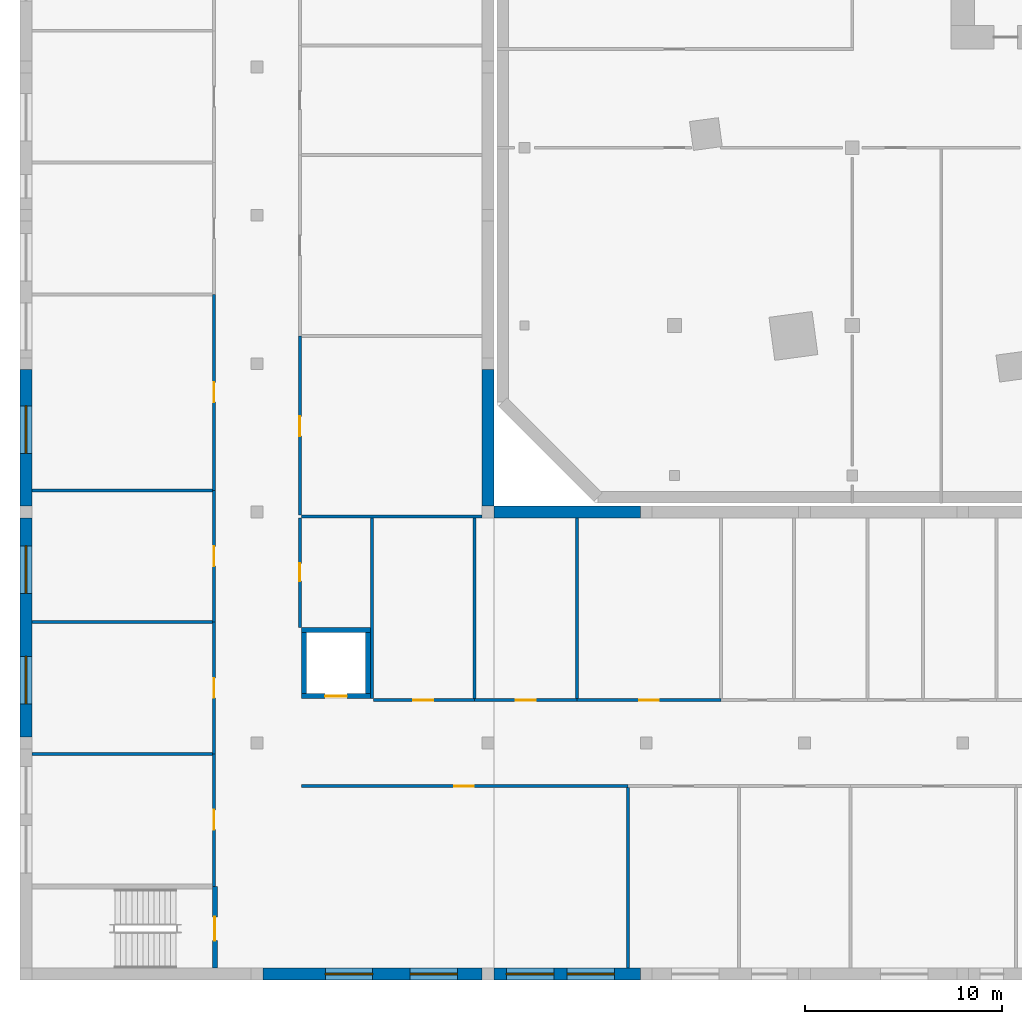
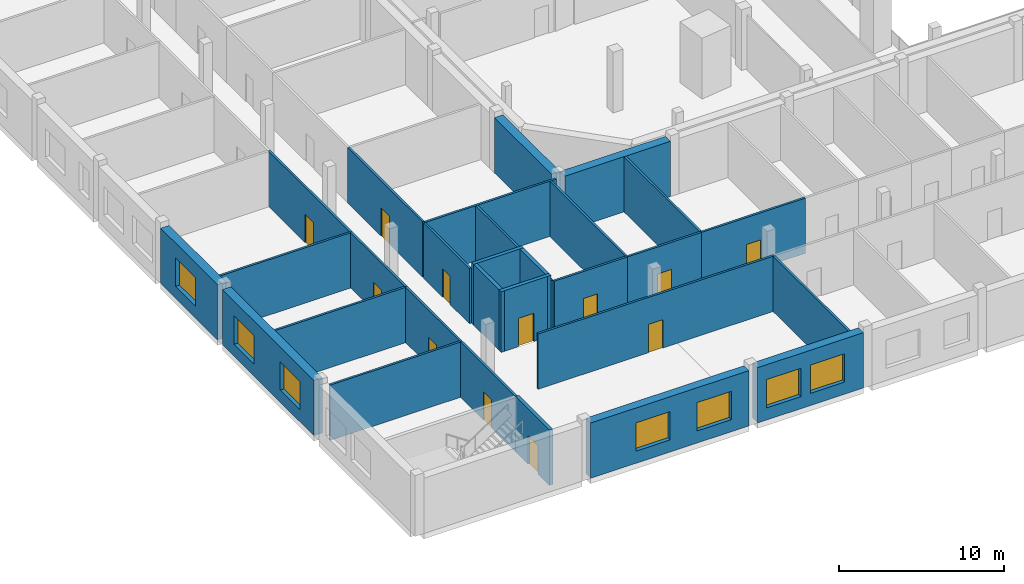
# One storey, part 3 of 20: 29 walls, 12 doors, 7 windows, 19 openings.
"""IFC4 building model written with IfcOpenShell, lengths in metres."""

from ifc_helpers import new_model, si_unit, direction, frame, frame_2d, origin, place, context, subcontext, project, spatial, rectangle, extrude, material, layer, layer_set, type_object, element, fill, save


model = new_model("IFC4")

# Units and contexts
model_context = context("Model", 3, precision=1e-05, world=origin(), true_north=direction((0.0, 1.0)))
body_context = subcontext(model_context, "Body", "Model", "MODEL_VIEW")
ifc_project = project(units=[si_unit("LENGTHUNIT", "METRE"), si_unit("AREAUNIT", "SQUARE_METRE"), si_unit("VOLUMEUNIT", "CUBIC_METRE"), si_unit("PLANEANGLEUNIT", "RADIAN"), si_unit("MASSUNIT", "GRAM", prefix="KILO")], contexts=[model_context])

# Site, building, storey
site_placement = place(None, origin())
site = spatial("IfcSite", under=ifc_project, at=site_placement, CompositionType="ELEMENT")
building_placement = place(site_placement, origin())
building = spatial("IfcBuilding", under=site, at=building_placement, Name="Dilmun Exchange Tower", CompositionType="ELEMENT")
storey_placement = place(building_placement, frame((0.0, 0.0, 9.0)))
storey = spatial("IfcBuildingStorey", under=building, at=storey_placement, Name="L02", CompositionType="ELEMENT", Elevation=9.0)

# Wall, openings, windows
ifc_material_1 = material(Name="Precast concrete C40/50", Category="concrete")
ifc_layer_1 = layer(ifc_material_1, 0.60009765625)
ifc_layer_set_1 = layer_set([ifc_layer_1], Name="Precast concrete C40/50")
wall_type_1 = type_object("IfcWallType", Name="School external wall 600 precast C40/50", PredefinedType="STANDARD", material=ifc_layer_set_1)
wall_1_placement = place(storey_placement, frame((-59.85009765625, -47.85009765625, 0.0), z_axis=(0.0, 0.0, 1.0), x_axis=(0.0, 1.0, 0.0)))
wall_1 = element("IfcWall", 1, at=wall_1_placement, inside=storey, type_object=wall_type_1, Name="School external wall", PredefinedType="STANDARD", context=body_context, shape_type="SweptSolid", body=[
    extrude(rectangle(XDim=11.10009765625, YDim=0.60009765625, at=frame_2d((5.550048828125, 0.0))), origin(), (0.0, 0.0, 1.0), 4.10009765625),
])
opening_1_placement = place(wall_1_placement, frame((1.68798828125, 0.0, 0.89990234375)))
opening_1 = element("IfcOpeningElement", 2, at=opening_1_placement, cuts=wall_1, Name="Opening SCH-W24", PredefinedType="OPENING", context=body_context, shape_type="SweptSolid", body=[
    extrude(rectangle(XDim=2.39990234375, YDim=2.10009765625, at=frame_2d((1.199951171875, 1.050048828125))), frame((0.0, 0.31005859375, 0.0), z_axis=(0.0, -1.0, 0.0), x_axis=(1.0, 0.0, 0.0)), (0.0, 0.0, 1.0), 0.6201171875),
])
opening_2_placement = place(wall_1_placement, frame((7.283203125, 0.0, 0.89990234375)))
opening_2 = element("IfcOpeningElement", 3, at=opening_2_placement, cuts=wall_1, Name="Opening SCH-W24", PredefinedType="OPENING", context=body_context, shape_type="SweptSolid", body=[
    extrude(rectangle(XDim=2.39990234375, YDim=2.10009765625, at=frame_2d((1.199951171875, 1.050048828125))), frame((0.0, 0.31005859375, 0.0), z_axis=(0.0, -1.0, 0.0), x_axis=(1.0, 0.0, 0.0)), (0.0, 0.0, 1.0), 0.6201171875),
])
ifc_material_2 = material(Name="Clear low-emissivity glass in aluminium frame", Category="aluminium")
window_type = type_object("IfcWindowType", Name="School window 2400 x 2100", PartitioningType="DOUBLE_PANEL_VERTICAL", PredefinedType="WINDOW", material=ifc_material_2)
window_1_placement = place(opening_1_placement, origin())
window_1 = element("IfcWindow", 4, at=window_1_placement, inside=storey, type_object=window_type, Name="School window", OverallHeight=2.10009765625, OverallWidth=2.39990234375, PartitioningType="SINGLE_PANEL", PredefinedType="WINDOW", context=body_context, shape_type="SweptSolid", body=[
    extrude(rectangle(XDim=2.39990234375, YDim=2.10009765625, at=frame_2d((1.199951171875, 1.050048828125))), frame((0.0, 0.030029296875, 0.0), z_axis=(0.0, -1.0, 0.0), x_axis=(1.0, 0.0, 0.0)), (0.0, 0.0, 1.0), 0.06005859375),
])
fill(opening_1, window_1)
window_2_placement = place(opening_2_placement, origin())
window_2 = element("IfcWindow", 5, at=window_2_placement, inside=storey, type_object=window_type, Name="School window", OverallHeight=2.10009765625, OverallWidth=2.39990234375, PartitioningType="SINGLE_PANEL", PredefinedType="WINDOW", context=body_context, shape_type="SweptSolid", body=[
    extrude(rectangle(XDim=2.39990234375, YDim=2.10009765625, at=frame_2d((1.199951171875, 1.050048828125))), frame((0.0, 0.030029296875, 0.0), z_axis=(0.0, -1.0, 0.0), x_axis=(1.0, 0.0, 0.0)), (0.0, 0.0, 1.0), 0.06005859375),
])
fill(opening_2, window_2)

# Wall, opening, window
wall_2_placement = place(storey_placement, frame((-59.85009765625, -36.14990234375, 0.0), z_axis=(0.0, 0.0, 1.0), x_axis=(0.0, 1.0, 0.0)))
wall_2 = element("IfcWall", 6, at=wall_2_placement, inside=storey, type_object=wall_type_1, Name="School external wall", PredefinedType="STANDARD", context=body_context, shape_type="SweptSolid", body=[
    extrude(rectangle(XDim=6.914306640625, YDim=0.60009765625, at=frame_2d((3.45703125, 0.0))), origin(), (0.0, 0.0, 1.0), 4.10009765625),
])
opening_3_placement = place(wall_2_placement, frame((2.6767578125, 0.0, 0.89990234375)))
opening_3 = element("IfcOpeningElement", 7, at=opening_3_placement, cuts=wall_2, Name="Opening SCH-W24", PredefinedType="OPENING", context=body_context, shape_type="SweptSolid", body=[
    extrude(rectangle(XDim=2.39990234375, YDim=2.10009765625, at=frame_2d((1.199951171875, 1.050048828125))), frame((0.0, 0.31005859375, 0.0), z_axis=(0.0, -1.0, 0.0), x_axis=(1.0, 0.0, 0.0)), (0.0, 0.0, 1.0), 0.6201171875),
])
window_3_placement = place(opening_3_placement, origin())
window_3 = element("IfcWindow", 8, at=window_3_placement, inside=storey, type_object=window_type, Name="School window", OverallHeight=2.10009765625, OverallWidth=2.39990234375, PartitioningType="SINGLE_PANEL", PredefinedType="WINDOW", context=body_context, shape_type="SweptSolid", body=[
    extrude(rectangle(XDim=2.39990234375, YDim=2.10009765625, at=frame_2d((1.199951171875, 1.050048828125))), frame((0.0, 0.030029296875, 0.0), z_axis=(0.0, -1.0, 0.0), x_axis=(1.0, 0.0, 0.0)), (0.0, 0.0, 1.0), 0.06005859375),
])
fill(opening_3, window_3)

# Walls
wall_3_placement = place(storey_placement, frame((-36.449951171875, -29.235595703125, 0.0), z_axis=(0.0, 0.0, 1.0), x_axis=(0.0, -1.0, 0.0)))
element("IfcWall", 9, at=wall_3_placement, inside=storey, type_object=wall_type_1, Name="School external wall", PredefinedType="STANDARD", context=body_context, shape_type="SweptSolid", body=[
    extrude(rectangle(XDim=6.914306640625, YDim=0.60009765625, at=frame_2d((3.45703125, 0.0))), origin(), (0.0, 0.0, 1.0), 4.10009765625),
])
wall_4_placement = place(storey_placement, frame((-36.14990234375, -36.449951171875, 0.0), z_axis=(0.0, 0.0, 1.0), x_axis=(1.0, 0.0, 0.0)))
element("IfcWall", 10, at=wall_4_placement, inside=storey, type_object=wall_type_1, Name="School external wall", PredefinedType="STANDARD", context=body_context, shape_type="SweptSolid", body=[
    extrude(rectangle(XDim=7.41650390625, YDim=0.60009765625, at=frame_2d((3.708251953125, 0.0))), origin(), (0.0, 0.0, 1.0), 4.10009765625),
])

# Wall, openings, windows
wall_5_placement = place(storey_placement, frame((-28.7333984375, -59.85009765625, 0.0), z_axis=(0.0, 0.0, 1.0), x_axis=(-1.0, 0.0, 0.0)))
wall_5 = element("IfcWall", 11, at=wall_5_placement, inside=storey, type_object=wall_type_1, Name="School external wall", PredefinedType="STANDARD", context=body_context, shape_type="SweptSolid", body=[
    extrude(rectangle(XDim=7.41650390625, YDim=0.60009765625, at=frame_2d((3.708251953125, 0.0))), origin(), (0.0, 0.0, 1.0), 4.10009765625),
])
opening_4_placement = place(wall_5_placement, frame((1.310791015625, 0.0, 0.89990234375)))
opening_4 = element("IfcOpeningElement", 12, at=opening_4_placement, cuts=wall_5, Name="Opening SCH-W24", PredefinedType="OPENING", context=body_context, shape_type="SweptSolid", body=[
    extrude(rectangle(XDim=2.39990234375, YDim=2.10009765625, at=frame_2d((1.199951171875, 1.050048828125))), frame((0.0, 0.31005859375, 0.0), z_axis=(0.0, -1.0, 0.0), x_axis=(1.0, 0.0, 0.0)), (0.0, 0.0, 1.0), 0.6201171875),
])
opening_5_placement = place(wall_5_placement, frame((4.38134765625, 0.0, 0.89990234375)))
opening_5 = element("IfcOpeningElement", 13, at=opening_5_placement, cuts=wall_5, Name="Opening SCH-W24", PredefinedType="OPENING", context=body_context, shape_type="SweptSolid", body=[
    extrude(rectangle(XDim=2.39990234375, YDim=2.10009765625, at=frame_2d((1.199951171875, 1.050048828125))), frame((0.0, 0.31005859375, 0.0), z_axis=(0.0, -1.0, 0.0), x_axis=(1.0, 0.0, 0.0)), (0.0, 0.0, 1.0), 0.6201171875),
])
window_4_placement = place(opening_4_placement, origin())
window_4 = element("IfcWindow", 14, at=window_4_placement, inside=storey, type_object=window_type, Name="School window", OverallHeight=2.10009765625, OverallWidth=2.39990234375, PartitioningType="SINGLE_PANEL", PredefinedType="WINDOW", context=body_context, shape_type="SweptSolid", body=[
    extrude(rectangle(XDim=2.39990234375, YDim=2.10009765625, at=frame_2d((1.199951171875, 1.050048828125))), frame((0.0, 0.030029296875, 0.0), z_axis=(0.0, -1.0, 0.0), x_axis=(1.0, 0.0, 0.0)), (0.0, 0.0, 1.0), 0.06005859375),
])
fill(opening_4, window_4)
window_5_placement = place(opening_5_placement, origin())
window_5 = element("IfcWindow", 15, at=window_5_placement, inside=storey, type_object=window_type, Name="School window", OverallHeight=2.10009765625, OverallWidth=2.39990234375, PartitioningType="SINGLE_PANEL", PredefinedType="WINDOW", context=body_context, shape_type="SweptSolid", body=[
    extrude(rectangle(XDim=2.39990234375, YDim=2.10009765625, at=frame_2d((1.199951171875, 1.050048828125))), frame((0.0, 0.030029296875, 0.0), z_axis=(0.0, -1.0, 0.0), x_axis=(1.0, 0.0, 0.0)), (0.0, 0.0, 1.0), 0.06005859375),
])
fill(opening_5, window_5)

wall_6_placement = place(storey_placement, frame((-36.75, -59.85009765625, 0.0), z_axis=(0.0, 0.0, 1.0), x_axis=(-1.0, 0.0, 0.0)))
wall_6 = element("IfcWall", 16, at=wall_6_placement, inside=storey, type_object=wall_type_1, Name="School external wall", PredefinedType="STANDARD", context=body_context, shape_type="SweptSolid", body=[
    extrude(rectangle(XDim=11.10009765625, YDim=0.60009765625, at=frame_2d((5.550048828125, 0.0))), origin(), (0.0, 0.0, 1.0), 4.10009765625),
])
opening_6_placement = place(wall_6_placement, frame((1.2451171875, 0.0, 0.89990234375)))
opening_6 = element("IfcOpeningElement", 17, at=opening_6_placement, cuts=wall_6, Name="Opening SCH-W24", PredefinedType="OPENING", context=body_context, shape_type="SweptSolid", body=[
    extrude(rectangle(XDim=2.39990234375, YDim=2.10009765625, at=frame_2d((1.199951171875, 1.050048828125))), frame((0.0, 0.31005859375, 0.0), z_axis=(0.0, -1.0, 0.0), x_axis=(1.0, 0.0, 0.0)), (0.0, 0.0, 1.0), 0.6201171875),
])
opening_7_placement = place(wall_6_placement, frame((5.534912109375, 0.0, 0.89990234375)))
opening_7 = element("IfcOpeningElement", 18, at=opening_7_placement, cuts=wall_6, Name="Opening SCH-W24", PredefinedType="OPENING", context=body_context, shape_type="SweptSolid", body=[
    extrude(rectangle(XDim=2.39990234375, YDim=2.10009765625, at=frame_2d((1.199951171875, 1.050048828125))), frame((0.0, 0.31005859375, 0.0), z_axis=(0.0, -1.0, 0.0), x_axis=(1.0, 0.0, 0.0)), (0.0, 0.0, 1.0), 0.6201171875),
])
window_6_placement = place(opening_6_placement, origin())
window_6 = element("IfcWindow", 19, at=window_6_placement, inside=storey, type_object=window_type, Name="School window", OverallHeight=2.10009765625, OverallWidth=2.39990234375, PartitioningType="SINGLE_PANEL", PredefinedType="WINDOW", context=body_context, shape_type="SweptSolid", body=[
    extrude(rectangle(XDim=2.39990234375, YDim=2.10009765625, at=frame_2d((1.199951171875, 1.050048828125))), frame((0.0, 0.030029296875, 0.0), z_axis=(0.0, -1.0, 0.0), x_axis=(1.0, 0.0, 0.0)), (0.0, 0.0, 1.0), 0.06005859375),
])
fill(opening_6, window_6)
window_7_placement = place(opening_7_placement, origin())
window_7 = element("IfcWindow", 20, at=window_7_placement, inside=storey, type_object=window_type, Name="School window", OverallHeight=2.10009765625, OverallWidth=2.39990234375, PartitioningType="SINGLE_PANEL", PredefinedType="WINDOW", context=body_context, shape_type="SweptSolid", body=[
    extrude(rectangle(XDim=2.39990234375, YDim=2.10009765625, at=frame_2d((1.199951171875, 1.050048828125))), frame((0.0, 0.030029296875, 0.0), z_axis=(0.0, -1.0, 0.0), x_axis=(1.0, 0.0, 0.0)), (0.0, 0.0, 1.0), 0.06005859375),
])
fill(opening_7, window_7)

# Walls
ifc_material_3 = material(Name="Gypsum board on steel studs", Category="steel")
ifc_layer_2 = layer(ifc_material_3, 0.14990234375)
ifc_layer_set_2 = layer_set([ifc_layer_2], Name="Gypsum board on steel studs")
wall_type_2 = type_object("IfcWallType", Name="School partition 150 gypsum board", PredefinedType="PARTITIONING", material=ifc_layer_set_2)
for number, where, z_axis, x_axis, name in (
    (21, (-59.550048828125, -48.701904296875, 0.0), (0.0, 0.0, 1.0), (1.0, 0.0, 0.0), "School partition"),
    (22, (-59.550048828125, -42.02880859375, 0.0), (0.0, 0.0, 1.0), (1.0, 0.0, 0.0), "School partition"),
    (23, (-59.550048828125, -35.355712890625, 0.0), (0.0, 0.0, 1.0), (1.0, 0.0, 0.0), "School partition"),
):
    element("IfcWall", number, at=place(storey_placement, frame(where, z_axis=z_axis, x_axis=x_axis)), inside=storey, type_object=wall_type_2, Name=name, PredefinedType="PARTITIONING", context=body_context, shape_type="SweptSolid", body=[
        extrude(rectangle(XDim=9.150146484375, YDim=0.14990234375, at=frame_2d((4.5751953125, 0.0))), origin(), (0.0, 0.0, 1.0), 4.10009765625),
    ])

# Wall, opening, door
wall_7_placement = place(storey_placement, frame((-50.324951171875, -55.425048828125, 0.0), z_axis=(0.0, 0.0, 1.0), x_axis=(0.0, 1.0, 0.0)))
wall_7 = element("IfcWall", 24, at=wall_7_placement, inside=storey, type_object=wall_type_2, Name="School corridor wall", PredefinedType="PARTITIONING", context=body_context, shape_type="SweptSolid", body=[
    extrude(rectangle(XDim=6.72314453125, YDim=0.14990234375, at=frame_2d((3.361572265625, 0.0))), origin(), (0.0, 0.0, 1.0), 4.10009765625),
])
opening_8_placement = place(wall_7_placement, frame((2.886474609375, 0.0, 0.0)))
opening_8 = element("IfcOpeningElement", 25, at=opening_8_placement, cuts=wall_7, Name="Opening SCH-D1", PredefinedType="OPENING", context=body_context, shape_type="SweptSolid", body=[
    extrude(rectangle(XDim=1.0, YDim=2.10009765625, at=frame_2d((0.5, 1.050048828125))), frame((0.0, 0.0849609375, 0.0), z_axis=(0.0, -1.0, 0.0), x_axis=(1.0, 0.0, 0.0)), (0.0, 0.0, 1.0), 0.169921875),
])
ifc_material_4 = material(Name="Timber door leaf in steel frame", Category="steel")
door_type_1 = type_object("IfcDoorType", Name="School door FD30S 1000 x 2100", OperationType="NOTDEFINED", PredefinedType="DOOR", material=ifc_material_4)
door_1_placement = place(opening_8_placement, origin())
door_1 = element("IfcDoor", 26, at=door_1_placement, inside=storey, type_object=door_type_1, Name="Classroom door", OperationType="SINGLE_SWING_RIGHT", OverallHeight=2.10009765625, OverallWidth=1.0, PredefinedType="DOOR", context=body_context, shape_type="SweptSolid", body=[
    extrude(rectangle(XDim=1.0, YDim=2.10009765625, at=frame_2d((0.5, 1.050048828125))), frame((0.0, 0.02490234375, 0.0), z_axis=(0.0, -1.0, 0.0), x_axis=(1.0, 0.0, 0.0)), (0.0, 0.0, 1.0), 0.050048828125),
])
fill(opening_8, door_1)

wall_8_placement = place(storey_placement, frame((-50.324951171875, -48.701904296875, 0.0), z_axis=(0.0, 0.0, 1.0), x_axis=(0.0, 1.0, 0.0)))
wall_8 = element("IfcWall", 27, at=wall_8_placement, inside=storey, type_object=wall_type_2, Name="School corridor wall", PredefinedType="PARTITIONING", context=body_context, shape_type="SweptSolid", body=[
    extrude(rectangle(XDim=6.673095703125, YDim=0.14990234375, at=frame_2d((3.33642578125, 0.0))), origin(), (0.0, 0.0, 1.0), 4.10009765625),
])
opening_9_placement = place(wall_8_placement, frame((2.836669921875, 0.0, 0.0)))
opening_9 = element("IfcOpeningElement", 28, at=opening_9_placement, cuts=wall_8, Name="Opening SCH-D1", PredefinedType="OPENING", context=body_context, shape_type="SweptSolid", body=[
    extrude(rectangle(XDim=1.0, YDim=2.10009765625, at=frame_2d((0.5, 1.050048828125))), frame((0.0, 0.0849609375, 0.0), z_axis=(0.0, -1.0, 0.0), x_axis=(1.0, 0.0, 0.0)), (0.0, 0.0, 1.0), 0.169921875),
])
door_2_placement = place(opening_9_placement, origin())
door_2 = element("IfcDoor", 29, at=door_2_placement, inside=storey, type_object=door_type_1, Name="Language classroom door", OperationType="SINGLE_SWING_LEFT", OverallHeight=2.10009765625, OverallWidth=1.0, PredefinedType="DOOR", context=body_context, shape_type="SweptSolid", body=[
    extrude(rectangle(XDim=1.0, YDim=2.10009765625, at=frame_2d((0.5, 1.050048828125))), frame((0.0, 0.02490234375, 0.0), z_axis=(0.0, -1.0, 0.0), x_axis=(1.0, 0.0, 0.0)), (0.0, 0.0, 1.0), 0.050048828125),
])
fill(opening_9, door_2)

wall_9_placement = place(storey_placement, frame((-50.324951171875, -42.02880859375, 0.0), z_axis=(0.0, 0.0, 1.0), x_axis=(0.0, 1.0, 0.0)))
wall_9 = element("IfcWall", 30, at=wall_9_placement, inside=storey, type_object=wall_type_2, Name="School corridor wall", PredefinedType="PARTITIONING", context=body_context, shape_type="SweptSolid", body=[
    extrude(rectangle(XDim=6.673095703125, YDim=0.14990234375, at=frame_2d((3.33642578125, 0.0))), origin(), (0.0, 0.0, 1.0), 4.10009765625),
])
opening_10_placement = place(wall_9_placement, frame((2.83642578125, 0.0, 0.0)))
opening_10 = element("IfcOpeningElement", 31, at=opening_10_placement, cuts=wall_9, Name="Opening SCH-D1", PredefinedType="OPENING", context=body_context, shape_type="SweptSolid", body=[
    extrude(rectangle(XDim=1.0, YDim=2.10009765625, at=frame_2d((0.5, 1.050048828125))), frame((0.0, 0.0849609375, 0.0), z_axis=(0.0, -1.0, 0.0), x_axis=(1.0, 0.0, 0.0)), (0.0, 0.0, 1.0), 0.169921875),
])
door_3_placement = place(opening_10_placement, origin())
door_3 = element("IfcDoor", 32, at=door_3_placement, inside=storey, type_object=door_type_1, Name="Classroom door", OperationType="SINGLE_SWING_RIGHT", OverallHeight=2.10009765625, OverallWidth=1.0, PredefinedType="DOOR", context=body_context, shape_type="SweptSolid", body=[
    extrude(rectangle(XDim=1.0, YDim=2.10009765625, at=frame_2d((0.5, 1.050048828125))), frame((0.0, 0.02490234375, 0.0), z_axis=(0.0, -1.0, 0.0), x_axis=(1.0, 0.0, 0.0)), (0.0, 0.0, 1.0), 0.050048828125),
])
fill(opening_10, door_3)

wall_10_placement = place(storey_placement, frame((-50.324951171875, -35.355712890625, 0.0), z_axis=(0.0, 0.0, 1.0), x_axis=(0.0, 1.0, 0.0)))
wall_10 = element("IfcWall", 33, at=wall_10_placement, inside=storey, type_object=wall_type_2, Name="School corridor wall", PredefinedType="PARTITIONING", context=body_context, shape_type="SweptSolid", body=[
    extrude(rectangle(XDim=9.9345703125, YDim=0.14990234375, at=frame_2d((4.96728515625, 0.0))), origin(), (0.0, 0.0, 1.0), 4.10009765625),
])
opening_11_placement = place(wall_10_placement, frame((4.46728515625, 0.0, 0.0)))
opening_11 = element("IfcOpeningElement", 34, at=opening_11_placement, cuts=wall_10, Name="Opening SCH-D1", PredefinedType="OPENING", context=body_context, shape_type="SweptSolid", body=[
    extrude(rectangle(XDim=1.0, YDim=2.10009765625, at=frame_2d((0.5, 1.050048828125))), frame((0.0, 0.0849609375, 0.0), z_axis=(0.0, -1.0, 0.0), x_axis=(1.0, 0.0, 0.0)), (0.0, 0.0, 1.0), 0.169921875),
])
door_4_placement = place(opening_11_placement, origin())
door_4 = element("IfcDoor", 35, at=door_4_placement, inside=storey, type_object=door_type_1, Name="Physics laboratory door", OperationType="SINGLE_SWING_LEFT", OverallHeight=2.10009765625, OverallWidth=1.0, PredefinedType="DOOR", context=body_context, shape_type="SweptSolid", body=[
    extrude(rectangle(XDim=1.0, YDim=2.10009765625, at=frame_2d((0.5, 1.050048828125))), frame((0.0, 0.02490234375, 0.0), z_axis=(0.0, -1.0, 0.0), x_axis=(1.0, 0.0, 0.0)), (0.0, 0.0, 1.0), 0.050048828125),
])
fill(opening_11, door_4)

wall_11_placement = place(storey_placement, frame((-45.97509765625, -36.60009765625, 0.0), z_axis=(0.0, 0.0, 1.0), x_axis=(0.0, 1.0, 0.0)))
wall_11 = element("IfcWall", 36, at=wall_11_placement, inside=storey, type_object=wall_type_2, Name="School corridor wall", PredefinedType="PARTITIONING", context=body_context, shape_type="SweptSolid", body=[
    extrude(rectangle(XDim=9.0751953125, YDim=0.14990234375, at=frame_2d((4.53759765625, 0.0))), origin(), (0.0, 0.0, 1.0), 4.10009765625),
])
opening_12_placement = place(wall_11_placement, frame((4.0, 0.0, 0.0)))
opening_12 = element("IfcOpeningElement", 37, at=opening_12_placement, cuts=wall_11, Name="Opening SCH-D1", PredefinedType="OPENING", context=body_context, shape_type="SweptSolid", body=[
    extrude(rectangle(XDim=1.0, YDim=2.10009765625, at=frame_2d((0.5, 1.050048828125))), frame((0.0, 0.0849609375, 0.0), z_axis=(0.0, -1.0, 0.0), x_axis=(1.0, 0.0, 0.0)), (0.0, 0.0, 1.0), 0.169921875),
])
door_5_placement = place(opening_12_placement, origin())
door_5 = element("IfcDoor", 38, at=door_5_placement, inside=storey, type_object=door_type_1, Name="Prayer room (men) door", OperationType="SINGLE_SWING_LEFT", OverallHeight=2.10009765625, OverallWidth=1.0, PredefinedType="DOOR", context=body_context, shape_type="SweptSolid", body=[
    extrude(rectangle(XDim=1.0, YDim=2.10009765625, at=frame_2d((0.5, 1.050048828125))), frame((0.0, 0.02490234375, 0.0), z_axis=(0.0, -1.0, 0.0), x_axis=(1.0, 0.0, 0.0)), (0.0, 0.0, 1.0), 0.050048828125),
])
fill(opening_12, door_5)

# Wall
wall_12_placement = place(storey_placement, frame((-29.36376953125, -59.550048828125, 0.0), z_axis=(0.0, 0.0, 1.0), x_axis=(0.0, 1.0, 0.0)))
element("IfcWall", 39, at=wall_12_placement, inside=storey, type_object=wall_type_2, Name="School partition", PredefinedType="PARTITIONING", context=body_context, shape_type="SweptSolid", body=[
    extrude(rectangle(XDim=9.150146484375, YDim=0.14990234375, at=frame_2d((4.5751953125, 0.0))), origin(), (0.0, 0.0, 1.0), 4.10009765625),
])

# Wall, opening, door
wall_13_placement = place(storey_placement, frame((-45.89990234375, -50.324951171875, 0.0), z_axis=(0.0, 0.0, 1.0), x_axis=(1.0, 0.0, 0.0)))
wall_13 = element("IfcWall", 40, at=wall_13_placement, inside=storey, type_object=wall_type_2, Name="School corridor wall", PredefinedType="PARTITIONING", context=body_context, shape_type="SweptSolid", body=[
    extrude(rectangle(XDim=16.5361328125, YDim=0.14990234375, at=frame_2d((8.26806640625, 0.0))), origin(), (0.0, 0.0, 1.0), 4.10009765625),
])
opening_13_placement = place(wall_13_placement, frame((7.730712890625, 0.0, 0.0)))
opening_13 = element("IfcOpeningElement", 41, at=opening_13_placement, cuts=wall_13, Name="Opening SCH-D1", PredefinedType="OPENING", context=body_context, shape_type="SweptSolid", body=[
    extrude(rectangle(XDim=1.0, YDim=2.10009765625, at=frame_2d((0.5, 1.050048828125))), frame((0.0, 0.0849609375, 0.0), z_axis=(0.0, -1.0, 0.0), x_axis=(1.0, 0.0, 0.0)), (0.0, 0.0, 1.0), 0.169921875),
])
door_6_placement = place(opening_13_placement, origin())
door_6 = element("IfcDoor", 42, at=door_6_placement, inside=storey, type_object=door_type_1, Name="Library reading room door", OperationType="SINGLE_SWING_RIGHT", OverallHeight=2.10009765625, OverallWidth=1.0, PredefinedType="DOOR", context=body_context, shape_type="SweptSolid", body=[
    extrude(rectangle(XDim=1.0, YDim=2.10009765625, at=frame_2d((0.5, 1.050048828125))), frame((0.0, 0.02490234375, 0.0), z_axis=(0.0, -1.0, 0.0), x_axis=(1.0, 0.0, 0.0)), (0.0, 0.0, 1.0), 0.050048828125),
])
fill(opening_13, door_6)

# Walls
for number, where, z_axis, x_axis, name in (
    (43, (-37.12841796875, -45.89990234375, 0.0), (0.0, 0.0, 1.0), (0.0, 1.0, 0.0), "School partition"),
    (44, (-31.931640625, -45.89990234375, 0.0), (0.0, 0.0, 1.0), (0.0, 1.0, 0.0), "School partition"),
):
    element("IfcWall", number, at=place(storey_placement, frame(where, z_axis=z_axis, x_axis=x_axis)), inside=storey, type_object=wall_type_2, Name=name, PredefinedType="PARTITIONING", context=body_context, shape_type="SweptSolid", body=[
        extrude(rectangle(XDim=9.14990234375, YDim=0.14990234375, at=frame_2d((4.574951171875, 0.0))), origin(), (0.0, 0.0, 1.0), 4.10009765625),
    ])

# Wall, opening, door
wall_14_placement = place(storey_placement, frame((-42.25, -45.97509765625, 0.0), z_axis=(0.0, 0.0, 1.0), x_axis=(1.0, 0.0, 0.0)))
wall_14 = element("IfcWall", 45, at=wall_14_placement, inside=storey, type_object=wall_type_2, Name="School corridor wall", PredefinedType="PARTITIONING", context=body_context, shape_type="SweptSolid", body=[
    extrude(rectangle(XDim=5.12158203125, YDim=0.14990234375, at=frame_2d((2.560791015625, 0.0))), origin(), (0.0, 0.0, 1.0), 4.10009765625),
])
opening_14_placement = place(wall_14_placement, frame((2.0234375, 0.0, 0.0)))
opening_14 = element("IfcOpeningElement", 46, at=opening_14_placement, cuts=wall_14, Name="Opening SCH-D1", PredefinedType="OPENING", context=body_context, shape_type="SweptSolid", body=[
    extrude(rectangle(XDim=1.0, YDim=2.10009765625, at=frame_2d((0.5, 1.050048828125))), frame((0.0, 0.0849609375, 0.0), z_axis=(0.0, -1.0, 0.0), x_axis=(1.0, 0.0, 0.0)), (0.0, 0.0, 1.0), 0.169921875),
])
door_7_placement = place(opening_14_placement, origin())
door_7 = element("IfcDoor", 47, at=door_7_placement, inside=storey, type_object=door_type_1, Name="Head of year office door", OperationType="SINGLE_SWING_LEFT", OverallHeight=2.10009765625, OverallWidth=1.0, PredefinedType="DOOR", context=body_context, shape_type="SweptSolid", body=[
    extrude(rectangle(XDim=1.0, YDim=2.10009765625, at=frame_2d((0.5, 1.050048828125))), frame((0.0, 0.02490234375, 0.0), z_axis=(0.0, -1.0, 0.0), x_axis=(1.0, 0.0, 0.0)), (0.0, 0.0, 1.0), 0.050048828125),
])
fill(opening_14, door_7)

wall_15_placement = place(storey_placement, frame((-37.12841796875, -45.97509765625, 0.0), z_axis=(0.0, 0.0, 1.0), x_axis=(1.0, 0.0, 0.0)))
wall_15 = element("IfcWall", 48, at=wall_15_placement, inside=storey, type_object=wall_type_2, Name="School corridor wall", PredefinedType="PARTITIONING", context=body_context, shape_type="SweptSolid", body=[
    extrude(rectangle(XDim=5.19677734375, YDim=0.14990234375, at=frame_2d((2.598388671875, 0.0))), origin(), (0.0, 0.0, 1.0), 4.10009765625),
])
opening_15_placement = place(wall_15_placement, frame((2.098388671875, 0.0, 0.0)))
opening_15 = element("IfcOpeningElement", 49, at=opening_15_placement, cuts=wall_15, Name="Opening SCH-D1", PredefinedType="OPENING", context=body_context, shape_type="SweptSolid", body=[
    extrude(rectangle(XDim=1.0, YDim=2.10009765625, at=frame_2d((0.5, 1.050048828125))), frame((0.0, 0.0849609375, 0.0), z_axis=(0.0, -1.0, 0.0), x_axis=(1.0, 0.0, 0.0)), (0.0, 0.0, 1.0), 0.169921875),
])
door_8_placement = place(opening_15_placement, origin())
door_8 = element("IfcDoor", 50, at=door_8_placement, inside=storey, type_object=door_type_1, Name="Head of year office door", OperationType="SINGLE_SWING_RIGHT", OverallHeight=2.10009765625, OverallWidth=1.0, PredefinedType="DOOR", context=body_context, shape_type="SweptSolid", body=[
    extrude(rectangle(XDim=1.0, YDim=2.10009765625, at=frame_2d((0.5, 1.050048828125))), frame((0.0, 0.02490234375, 0.0), z_axis=(0.0, -1.0, 0.0), x_axis=(1.0, 0.0, 0.0)), (0.0, 0.0, 1.0), 0.050048828125),
])
fill(opening_15, door_8)

wall_16_placement = place(storey_placement, frame((-31.931640625, -45.97509765625, 0.0), z_axis=(0.0, 0.0, 1.0), x_axis=(1.0, 0.0, 0.0)))
wall_16 = element("IfcWall", 51, at=wall_16_placement, inside=storey, type_object=wall_type_2, Name="School corridor wall", PredefinedType="PARTITIONING", context=body_context, shape_type="SweptSolid", body=[
    extrude(rectangle(XDim=7.27490234375, YDim=0.14990234375, at=frame_2d((3.637451171875, 0.0))), origin(), (0.0, 0.0, 1.0), 4.10009765625),
])
opening_16_placement = place(wall_16_placement, frame((3.137451171875, 0.0, 0.0)))
opening_16 = element("IfcOpeningElement", 52, at=opening_16_placement, cuts=wall_16, Name="Opening SCH-D1", PredefinedType="OPENING", context=body_context, shape_type="SweptSolid", body=[
    extrude(rectangle(XDim=1.0, YDim=2.10009765625, at=frame_2d((0.5, 1.050048828125))), frame((0.0, 0.0849609375, 0.0), z_axis=(0.0, -1.0, 0.0), x_axis=(1.0, 0.0, 0.0)), (0.0, 0.0, 1.0), 0.169921875),
])
door_9_placement = place(opening_16_placement, origin())
door_9 = element("IfcDoor", 53, at=door_9_placement, inside=storey, type_object=door_type_1, Name="Teachers' meeting room door", OperationType="SINGLE_SWING_LEFT", OverallHeight=2.10009765625, OverallWidth=1.0, PredefinedType="DOOR", context=body_context, shape_type="SweptSolid", body=[
    extrude(rectangle(XDim=1.0, YDim=2.10009765625, at=frame_2d((0.5, 1.050048828125))), frame((0.0, 0.02490234375, 0.0), z_axis=(0.0, -1.0, 0.0), x_axis=(1.0, 0.0, 0.0)), (0.0, 0.0, 1.0), 0.050048828125),
])
fill(opening_16, door_9)

# Walls
for number, where, z_axis, x_axis, name in (
    (54, (-45.89990234375, -36.675048828125, 0.0), (0.0, 0.0, 1.0), (1.0, 0.0, 0.0), "School partition"),
    (55, (-42.324951171875, -45.89990234375, 0.0), (0.0, 0.0, 1.0), (0.0, 1.0, 0.0), "School partition"),
):
    element("IfcWall", number, at=place(storey_placement, frame(where, z_axis=z_axis, x_axis=x_axis)), inside=storey, type_object=wall_type_2, Name=name, PredefinedType="PARTITIONING", context=body_context, shape_type="SweptSolid", body=[
        extrude(rectangle(XDim=9.14990234375, YDim=0.14990234375, at=frame_2d((4.574951171875, 0.0))), origin(), (0.0, 0.0, 1.0), 4.10009765625),
    ])

# Wall, opening, door
wall_17_placement = place(storey_placement, frame((-45.97509765625, -42.300048828125, 0.0), z_axis=(0.0, 0.0, 1.0), x_axis=(0.0, 1.0, 0.0)))
wall_17 = element("IfcWall", 56, at=wall_17_placement, inside=storey, type_object=wall_type_2, Name="School corridor wall", PredefinedType="PARTITIONING", context=body_context, shape_type="SweptSolid", body=[
    extrude(rectangle(XDim=5.550048828125, YDim=0.14990234375, at=frame_2d((2.77490234375, 0.0))), origin(), (0.0, 0.0, 1.0), 4.10009765625),
])
opening_17_placement = place(wall_17_placement, frame((2.35009765625, 0.0, 0.0)))
opening_17 = element("IfcOpeningElement", 57, at=opening_17_placement, cuts=wall_17, Name="Opening SCH-D2", PredefinedType="OPENING", context=body_context, shape_type="SweptSolid", body=[
    extrude(rectangle(XDim=0.89990234375, YDim=2.10009765625, at=frame_2d((0.449951171875, 1.050048828125))), frame((0.0, 0.0849609375, 0.0), z_axis=(0.0, -1.0, 0.0), x_axis=(1.0, 0.0, 0.0)), (0.0, 0.0, 1.0), 0.169921875),
])
door_type_2 = type_object("IfcDoorType", Name="School door FD30S 900 x 2100", OperationType="NOTDEFINED", PredefinedType="DOOR", material=ifc_material_4)
door_10_placement = place(opening_17_placement, origin())
door_10 = element("IfcDoor", 58, at=door_10_placement, inside=storey, type_object=door_type_2, Name="Service cell door", OperationType="SINGLE_SWING_RIGHT", OverallHeight=2.10009765625, OverallWidth=0.89990234375, PredefinedType="DOOR", context=body_context, shape_type="SweptSolid", body=[
    extrude(rectangle(XDim=0.89990234375, YDim=2.10009765625, at=frame_2d((0.449951171875, 1.050048828125))), frame((0.0, 0.02490234375, 0.0), z_axis=(0.0, -1.0, 0.0), x_axis=(1.0, 0.0, 0.0)), (0.0, 0.0, 1.0), 0.050048828125),
])
fill(opening_17, door_10)

# Walls
ifc_material_5 = material(Name="Concrete C40/50", Category="concrete")
ifc_layer_3 = layer(ifc_material_5, 0.25)
ifc_layer_set_3 = layer_set([ifc_layer_3], Name="Concrete C40/50")
wall_type_3 = type_object("IfcWallType", Name="School stair and lift wall 250 C40/50", PredefinedType="SHEAR", material=ifc_layer_set_3)
for number, where, z_axis, x_axis, name in (
    (59, (-45.77490234375, -45.89990234375, 0.0), (0.0, 0.0, 1.0), (0.0, 1.0, 0.0), "School lift shaft wall"),
    (60, (-42.52490234375, -45.89990234375, 0.0), (0.0, 0.0, 1.0), (0.0, 1.0, 0.0), "School lift shaft wall"),
):
    element("IfcWall", number, at=place(storey_placement, frame(where, z_axis=z_axis, x_axis=x_axis)), inside=storey, type_object=wall_type_3, Name=name, PredefinedType="SHEAR", context=body_context, shape_type="SweptSolid", body=[
        extrude(rectangle(XDim=3.599853515625, YDim=0.25, at=frame_2d((1.7998046875, 0.0))), origin(), (0.0, 0.0, 1.0), 4.5),
    ])
wall_18_placement = place(storey_placement, frame((-45.89990234375, -42.425048828125, 0.0), z_axis=(0.0, 0.0, 1.0), x_axis=(1.0, 0.0, 0.0)))
element("IfcWall", 61, at=wall_18_placement, inside=storey, type_object=wall_type_3, Name="School lift shaft wall", PredefinedType="SHEAR", context=body_context, shape_type="SweptSolid", body=[
    extrude(rectangle(XDim=3.5, YDim=0.25, at=frame_2d((1.75, 0.0))), origin(), (0.0, 0.0, 1.0), 4.5),
])

# Wall, opening, door
wall_19_placement = place(storey_placement, frame((-45.89990234375, -45.77490234375, 0.0), z_axis=(0.0, 0.0, 1.0), x_axis=(1.0, 0.0, 0.0)))
wall_19 = element("IfcWall", 62, at=wall_19_placement, inside=storey, type_object=wall_type_3, Name="School lift shaft wall", PredefinedType="SHEAR", context=body_context, shape_type="SweptSolid", body=[
    extrude(rectangle(XDim=3.5, YDim=0.25, at=frame_2d((1.75, 0.0))), origin(), (0.0, 0.0, 1.0), 4.5),
])
opening_18_placement = place(wall_19_placement, frame((1.199951171875, 0.0, 0.0)))
opening_18 = element("IfcOpeningElement", 63, at=opening_18_placement, cuts=wall_19, Name="Opening SCH-LD", PredefinedType="OPENING", context=body_context, shape_type="SweptSolid", body=[
    extrude(rectangle(XDim=1.10009765625, YDim=2.10009765625, at=frame_2d((0.550048828125, 1.050048828125))), frame((0.0, 0.135009765625, 0.0), z_axis=(0.0, -1.0, 0.0), x_axis=(1.0, 0.0, 0.0)), (0.0, 0.0, 1.0), 0.27001953125),
])
door_type_3 = type_object("IfcDoorType", Name="School lift landing door 1100 x 2100", OperationType="DOUBLE_DOOR_SLIDING", PredefinedType="DOOR", material=ifc_material_4)
door_11_placement = place(opening_18_placement, origin())
door_11 = element("IfcDoor", 64, at=door_11_placement, inside=storey, type_object=door_type_3, Name="Lift landing door", OperationType="DOUBLE_DOOR_SLIDING", OverallHeight=2.10009765625, OverallWidth=1.10009765625, PredefinedType="DOOR", context=body_context, shape_type="SweptSolid", body=[
    extrude(rectangle(XDim=1.10009765625, YDim=2.10009765625, at=frame_2d((0.550048828125, 1.050048828125))), frame((0.0, 0.02490234375, 0.0), z_axis=(0.0, -1.0, 0.0), x_axis=(1.0, 0.0, 0.0)), (0.0, 0.0, 1.0), 0.050048828125),
])
fill(opening_18, door_11)

wall_20_placement = place(storey_placement, frame((-50.27490234375, -59.550048828125, 0.0), z_axis=(0.0, 0.0, 1.0), x_axis=(0.0, 1.0, 0.0)))
wall_20 = element("IfcWall", 65, at=wall_20_placement, inside=storey, type_object=wall_type_3, Name="School corridor wall", PredefinedType="SHEAR", context=body_context, shape_type="SweptSolid", body=[
    extrude(rectangle(XDim=4.125, YDim=0.25, at=frame_2d((2.0625, 0.0))), origin(), (0.0, 0.0, 1.0), 4.10009765625),
])
opening_19_placement = place(wall_20_placement, frame((1.39990234375, 0.0, 0.0)))
opening_19 = element("IfcOpeningElement", 66, at=opening_19_placement, cuts=wall_20, Name="Opening SCH-D3", PredefinedType="OPENING", context=body_context, shape_type="SweptSolid", body=[
    extrude(rectangle(XDim=1.199951171875, YDim=2.10009765625, at=frame_2d((0.60009765625, 1.050048828125))), frame((0.0, 0.135009765625, 0.0), z_axis=(0.0, -1.0, 0.0), x_axis=(1.0, 0.0, 0.0)), (0.0, 0.0, 1.0), 0.27001953125),
])
door_type_4 = type_object("IfcDoorType", Name="School stair door FD60 1200 x 2100", OperationType="NOTDEFINED", PredefinedType="DOOR", material=ifc_material_4)
door_12_placement = place(opening_19_placement, origin())
door_12 = element("IfcDoor", 67, at=door_12_placement, inside=storey, type_object=door_type_4, Name="Stair S2 door", OperationType="SINGLE_SWING_LEFT", OverallHeight=2.10009765625, OverallWidth=1.199951171875, PredefinedType="DOOR", context=body_context, shape_type="SweptSolid", body=[
    extrude(rectangle(XDim=1.199951171875, YDim=2.10009765625, at=frame_2d((0.60009765625, 1.050048828125))), frame((0.0, 0.02490234375, 0.0), z_axis=(0.0, -1.0, 0.0), x_axis=(1.0, 0.0, 0.0)), (0.0, 0.0, 1.0), 0.050048828125),
])
fill(opening_19, door_12)

save(model, "model.ifc")
